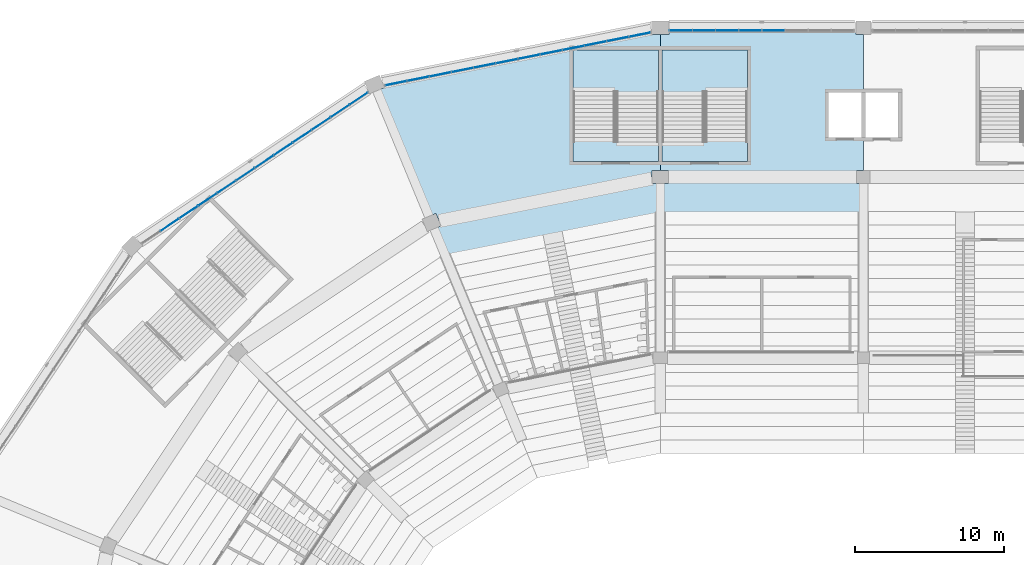
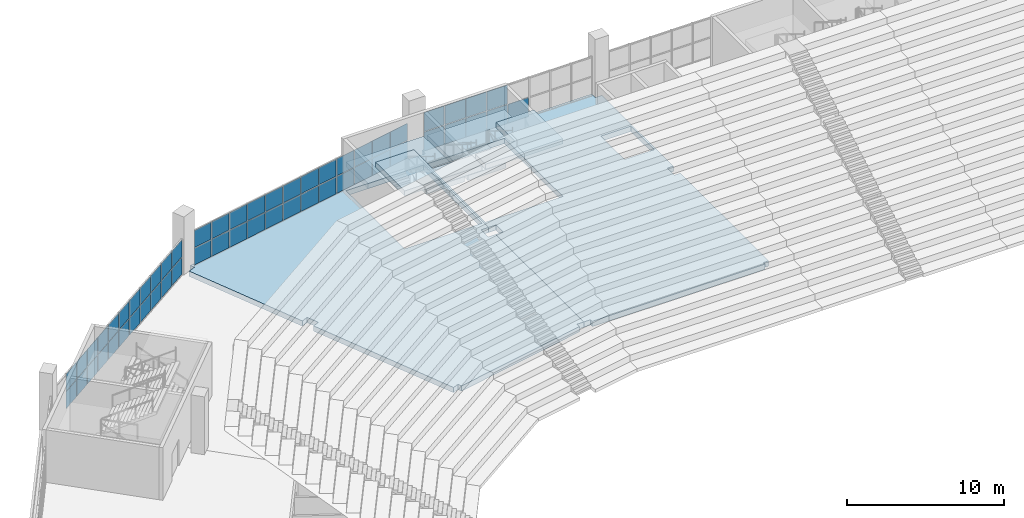
# One storey, part 79 of 249: 55 plates, 6 slabs, 5 elements without a shape of their own.
"""IFC4 building model written with IfcOpenShell, lengths in metres."""

from ifc_helpers import new_model, si_unit, direction, frame, origin, origin_2d, place, context, subcontext, project, spatial, polyline, rectangle, outline, extrude, material, layer, layer_set, type_object, element, aggregate, save


model = new_model("IFC4")

# Units and contexts
model_context = context("Model", 3, precision=1e-05, world=origin(), true_north=direction((0.0, 1.0)))
body_context = subcontext(model_context, "Body", "Model", "MODEL_VIEW")
ifc_project = project(units=[si_unit("LENGTHUNIT", "METRE"), si_unit("AREAUNIT", "SQUARE_METRE"), si_unit("VOLUMEUNIT", "CUBIC_METRE"), si_unit("PLANEANGLEUNIT", "RADIAN"), si_unit("MASSUNIT", "GRAM", prefix="KILO")], contexts=[model_context])

# Site, building, storey
site_placement = place(None, origin())
site = spatial("IfcSite", under=ifc_project, at=site_placement, CompositionType="ELEMENT")
building_placement = place(site_placement, origin())
building = spatial("IfcBuilding", under=site, at=building_placement, Name="Ogive Plaza Stadium", CompositionType="ELEMENT")
storey_placement = place(building_placement, frame((0.0, 0.0, 13.5)))
storey = spatial("IfcBuildingStorey", under=building, at=storey_placement, Name="L03", CompositionType="ELEMENT", Elevation=13.5)

# Curtain wall, plates
ifc_material_1 = material(Name="Bronze-anodised aluminium with laminated glass", Category="aluminium")
curtain_wall_type = type_object("IfcCurtainWallType", Name="Lancet curtain wall", PredefinedType="NOTDEFINED", material=ifc_material_1)
curtain_wall_1_placement = place(storey_placement, origin())
curtain_wall_1 = element("IfcCurtainWall", 1, at=curtain_wall_1_placement, inside=storey, type_object=curtain_wall_type, Name="CURTAIN WALL B30 L03", PredefinedType="NOTDEFINED")
ifc_material_2 = material(Name="Laminated glass", Category="glass")
ifc_layer_1 = layer(ifc_material_2, 0.028076171875)
ifc_layer_set_1 = layer_set([ifc_layer_1], Name="Laminated glass panel 28")
plate_type = type_object("IfcPlateType", Name="Laminated glass panel 28", PredefinedType="CURTAIN_PANEL", material=ifc_layer_set_1)
plate_1_placement = place(storey_placement, frame((-66.82958984375, 89.302490234375, 0.0498046875), z_axis=(0.0, 0.0, 1.0), x_axis=(0.831469612303, 0.55557023302, 0.0)))
plate_1 = element("IfcPlate", 2, at=plate_1_placement, type_object=plate_type, Name="CW-B30-L03 panel 2.1", PredefinedType="CURTAIN_PANEL", context=body_context, shape_type="SweptSolid", body=[
    extrude(rectangle(XDim=1.472412109375, YDim=0.028076171875, at=origin_2d()), origin(), (0.0, 0.0, 1.0), 1.320068359375),
])
plate_2_placement = place(storey_placement, frame((-66.82958984375, 89.302490234375, 1.419921875), z_axis=(0.0, 0.0, 1.0), x_axis=(0.831469612303, 0.55557023302, 0.0)))
plate_2 = element("IfcPlate", 3, at=plate_2_placement, type_object=plate_type, Name="CW-B30-L03 panel 2.2", PredefinedType="CURTAIN_PANEL", context=body_context, shape_type="SweptSolid", body=[
    extrude(rectangle(XDim=1.472412109375, YDim=0.028076171875, at=origin_2d()), origin(), (0.0, 0.0, 1.0), 1.320068359375),
])
plate_3_placement = place(storey_placement, frame((-65.56396484375, 90.148193359375, 0.0498046875), z_axis=(0.0, 0.0, 1.0), x_axis=(0.831469612303, 0.55557023302, 0.0)))
plate_3 = element("IfcPlate", 4, at=plate_3_placement, type_object=plate_type, Name="CW-B30-L03 panel 3.1", PredefinedType="CURTAIN_PANEL", context=body_context, shape_type="SweptSolid", body=[
    extrude(rectangle(XDim=1.472412109375, YDim=0.028076171875, at=origin_2d()), origin(), (0.0, 0.0, 1.0), 1.320068359375),
])
plate_4_placement = place(storey_placement, frame((-65.56396484375, 90.148193359375, 1.419921875), z_axis=(0.0, 0.0, 1.0), x_axis=(0.831469612303, 0.55557023302, 0.0)))
plate_4 = element("IfcPlate", 5, at=plate_4_placement, type_object=plate_type, Name="CW-B30-L03 panel 3.2", PredefinedType="CURTAIN_PANEL", context=body_context, shape_type="SweptSolid", body=[
    extrude(rectangle(XDim=1.472412109375, YDim=0.028076171875, at=origin_2d()), origin(), (0.0, 0.0, 1.0), 1.320068359375),
])
plate_5_placement = place(storey_placement, frame((-64.298095703125, 90.993896484375, 0.0498046875), z_axis=(0.0, 0.0, 1.0), x_axis=(0.831469612303, 0.55557023302, 0.0)))
plate_5 = element("IfcPlate", 6, at=plate_5_placement, type_object=plate_type, Name="CW-B30-L03 panel 4.1", PredefinedType="CURTAIN_PANEL", context=body_context, shape_type="SweptSolid", body=[
    extrude(rectangle(XDim=1.472412109375, YDim=0.028076171875, at=origin_2d()), origin(), (0.0, 0.0, 1.0), 1.320068359375),
])
plate_6_placement = place(storey_placement, frame((-64.298095703125, 90.993896484375, 1.419921875), z_axis=(0.0, 0.0, 1.0), x_axis=(0.831469612303, 0.55557023302, 0.0)))
plate_6 = element("IfcPlate", 7, at=plate_6_placement, type_object=plate_type, Name="CW-B30-L03 panel 4.2", PredefinedType="CURTAIN_PANEL", context=body_context, shape_type="SweptSolid", body=[
    extrude(rectangle(XDim=1.472412109375, YDim=0.028076171875, at=origin_2d()), origin(), (0.0, 0.0, 1.0), 1.320068359375),
])
plate_7_placement = place(storey_placement, frame((-63.0322265625, 91.839599609375, 0.0498046875), z_axis=(0.0, 0.0, 1.0), x_axis=(0.831469612303, 0.55557023302, 0.0)))
plate_7 = element("IfcPlate", 8, at=plate_7_placement, type_object=plate_type, Name="CW-B30-L03 panel 5.1", PredefinedType="CURTAIN_PANEL", context=body_context, shape_type="SweptSolid", body=[
    extrude(rectangle(XDim=1.472412109375, YDim=0.028076171875, at=origin_2d()), origin(), (0.0, 0.0, 1.0), 1.320068359375),
])
plate_8_placement = place(storey_placement, frame((-63.0322265625, 91.839599609375, 1.419921875), z_axis=(0.0, 0.0, 1.0), x_axis=(0.831469612303, 0.55557023302, 0.0)))
plate_8 = element("IfcPlate", 9, at=plate_8_placement, type_object=plate_type, Name="CW-B30-L03 panel 5.2", PredefinedType="CURTAIN_PANEL", context=body_context, shape_type="SweptSolid", body=[
    extrude(rectangle(XDim=1.472412109375, YDim=0.028076171875, at=origin_2d()), origin(), (0.0, 0.0, 1.0), 1.320068359375),
])
plate_9_placement = place(storey_placement, frame((-61.7666015625, 92.685546875, 0.0498046875), z_axis=(0.0, 0.0, 1.0), x_axis=(0.831469612303, 0.55557023302, 0.0)))
plate_9 = element("IfcPlate", 10, at=plate_9_placement, type_object=plate_type, Name="CW-B30-L03 panel 6.1", PredefinedType="CURTAIN_PANEL", context=body_context, shape_type="SweptSolid", body=[
    extrude(rectangle(XDim=1.472412109375, YDim=0.028076171875, at=origin_2d()), origin(), (0.0, 0.0, 1.0), 1.320068359375),
])
plate_10_placement = place(storey_placement, frame((-61.7666015625, 92.685546875, 1.419921875), z_axis=(0.0, 0.0, 1.0), x_axis=(0.831469612303, 0.55557023302, 0.0)))
plate_10 = element("IfcPlate", 11, at=plate_10_placement, type_object=plate_type, Name="CW-B30-L03 panel 6.2", PredefinedType="CURTAIN_PANEL", context=body_context, shape_type="SweptSolid", body=[
    extrude(rectangle(XDim=1.472412109375, YDim=0.028076171875, at=origin_2d()), origin(), (0.0, 0.0, 1.0), 1.320068359375),
])
plate_11_placement = place(storey_placement, frame((-60.500732421875, 93.53125, 0.0498046875), z_axis=(0.0, 0.0, 1.0), x_axis=(0.831469612303, 0.55557023302, 0.0)))
plate_11 = element("IfcPlate", 12, at=plate_11_placement, type_object=plate_type, Name="CW-B30-L03 panel 7.1", PredefinedType="CURTAIN_PANEL", context=body_context, shape_type="SweptSolid", body=[
    extrude(rectangle(XDim=1.472412109375, YDim=0.028076171875, at=origin_2d()), origin(), (0.0, 0.0, 1.0), 1.320068359375),
])
plate_12_placement = place(storey_placement, frame((-60.500732421875, 93.53125, 1.419921875), z_axis=(0.0, 0.0, 1.0), x_axis=(0.831469612303, 0.55557023302, 0.0)))
plate_12 = element("IfcPlate", 13, at=plate_12_placement, type_object=plate_type, Name="CW-B30-L03 panel 7.2", PredefinedType="CURTAIN_PANEL", context=body_context, shape_type="SweptSolid", body=[
    extrude(rectangle(XDim=1.472412109375, YDim=0.028076171875, at=origin_2d()), origin(), (0.0, 0.0, 1.0), 1.320068359375),
])
plate_13_placement = place(storey_placement, frame((-59.23486328125, 94.376953125, 0.0498046875), z_axis=(0.0, 0.0, 1.0), x_axis=(0.831469612303, 0.55557023302, 0.0)))
plate_13 = element("IfcPlate", 14, at=plate_13_placement, type_object=plate_type, Name="CW-B30-L03 panel 8.1", PredefinedType="CURTAIN_PANEL", context=body_context, shape_type="SweptSolid", body=[
    extrude(rectangle(XDim=1.472412109375, YDim=0.028076171875, at=origin_2d()), origin(), (0.0, 0.0, 1.0), 1.320068359375),
])
plate_14_placement = place(storey_placement, frame((-59.23486328125, 94.376953125, 1.419921875), z_axis=(0.0, 0.0, 1.0), x_axis=(0.831469612303, 0.55557023302, 0.0)))
plate_14 = element("IfcPlate", 15, at=plate_14_placement, type_object=plate_type, Name="CW-B30-L03 panel 8.2", PredefinedType="CURTAIN_PANEL", context=body_context, shape_type="SweptSolid", body=[
    extrude(rectangle(XDim=1.472412109375, YDim=0.028076171875, at=origin_2d()), origin(), (0.0, 0.0, 1.0), 1.320068359375),
])
plate_15_placement = place(storey_placement, frame((-57.96923828125, 95.222900390625, 0.0498046875), z_axis=(0.0, 0.0, 1.0), x_axis=(0.831469612303, 0.55557023302, 0.0)))
plate_15 = element("IfcPlate", 16, at=plate_15_placement, type_object=plate_type, Name="CW-B30-L03 panel 9.1", PredefinedType="CURTAIN_PANEL", context=body_context, shape_type="SweptSolid", body=[
    extrude(rectangle(XDim=1.472412109375, YDim=0.028076171875, at=origin_2d()), origin(), (0.0, 0.0, 1.0), 1.320068359375),
])
plate_16_placement = place(storey_placement, frame((-57.96923828125, 95.222900390625, 1.419921875), z_axis=(0.0, 0.0, 1.0), x_axis=(0.831469612303, 0.55557023302, 0.0)))
plate_16 = element("IfcPlate", 17, at=plate_16_placement, type_object=plate_type, Name="CW-B30-L03 panel 9.2", PredefinedType="CURTAIN_PANEL", context=body_context, shape_type="SweptSolid", body=[
    extrude(rectangle(XDim=1.472412109375, YDim=0.028076171875, at=origin_2d()), origin(), (0.0, 0.0, 1.0), 1.320068359375),
])
plate_17_placement = place(storey_placement, frame((-56.703369140625, 96.068603515625, 0.0498046875), z_axis=(0.0, 0.0, 1.0), x_axis=(0.831469612303, 0.55557023302, 0.0)))
plate_17 = element("IfcPlate", 18, at=plate_17_placement, type_object=plate_type, Name="CW-B30-L03 panel 10.1", PredefinedType="CURTAIN_PANEL", context=body_context, shape_type="SweptSolid", body=[
    extrude(rectangle(XDim=1.472412109375, YDim=0.028076171875, at=origin_2d()), origin(), (0.0, 0.0, 1.0), 1.320068359375),
])
plate_18_placement = place(storey_placement, frame((-56.703369140625, 96.068603515625, 1.419921875), z_axis=(0.0, 0.0, 1.0), x_axis=(0.831469612303, 0.55557023302, 0.0)))
plate_18 = element("IfcPlate", 19, at=plate_18_placement, type_object=plate_type, Name="CW-B30-L03 panel 10.2", PredefinedType="CURTAIN_PANEL", context=body_context, shape_type="SweptSolid", body=[
    extrude(rectangle(XDim=1.472412109375, YDim=0.028076171875, at=origin_2d()), origin(), (0.0, 0.0, 1.0), 1.320068359375),
])
plate_19_placement = place(storey_placement, frame((-55.4375, 96.914306640625, 0.0498046875), z_axis=(0.0, 0.0, 1.0), x_axis=(0.831469612303, 0.55557023302, 0.0)))
plate_19 = element("IfcPlate", 20, at=plate_19_placement, type_object=plate_type, Name="CW-B30-L03 panel 11.1", PredefinedType="CURTAIN_PANEL", context=body_context, shape_type="SweptSolid", body=[
    extrude(rectangle(XDim=1.472412109375, YDim=0.028076171875, at=origin_2d()), origin(), (0.0, 0.0, 1.0), 1.320068359375),
])
plate_20_placement = place(storey_placement, frame((-55.4375, 96.914306640625, 1.419921875), z_axis=(0.0, 0.0, 1.0), x_axis=(0.831469612303, 0.55557023302, 0.0)))
plate_20 = element("IfcPlate", 21, at=plate_20_placement, type_object=plate_type, Name="CW-B30-L03 panel 11.2", PredefinedType="CURTAIN_PANEL", context=body_context, shape_type="SweptSolid", body=[
    extrude(rectangle(XDim=1.472412109375, YDim=0.028076171875, at=origin_2d()), origin(), (0.0, 0.0, 1.0), 1.320068359375),
])
plate_21_placement = place(storey_placement, frame((-54.18212890625, 97.753173828125, 0.0498046875), z_axis=(0.0, 0.0, 1.0), x_axis=(0.831469612303, 0.55557023302, 0.0)))
plate_21 = element("IfcPlate", 22, at=plate_21_placement, type_object=plate_type, Name="CW-B30-L03 panel 12.1", PredefinedType="CURTAIN_PANEL", context=body_context, shape_type="SweptSolid", body=[
    extrude(rectangle(XDim=1.447265625, YDim=0.028076171875, at=origin_2d()), origin(), (0.0, 0.0, 1.0), 1.320068359375),
])
plate_22_placement = place(storey_placement, frame((-54.18212890625, 97.753173828125, 1.419921875), z_axis=(0.0, 0.0, 1.0), x_axis=(0.831469612303, 0.55557023302, 0.0)))
plate_22 = element("IfcPlate", 23, at=plate_22_placement, type_object=plate_type, Name="CW-B30-L03 panel 12.2", PredefinedType="CURTAIN_PANEL", context=body_context, shape_type="SweptSolid", body=[
    extrude(rectangle(XDim=1.447265625, YDim=0.028076171875, at=origin_2d()), origin(), (0.0, 0.0, 1.0), 1.320068359375),
])
aggregate(curtain_wall_1, [plate_1, plate_2, plate_3, plate_4, plate_5, plate_6, plate_7, plate_8, plate_9, plate_10, plate_11, plate_12, plate_13, plate_14, plate_15, plate_16, plate_17, plate_18, plate_19, plate_20, plate_21, plate_22])

curtain_wall_2_placement = place(storey_placement, origin())
curtain_wall_2 = element("IfcCurtainWall", 24, at=curtain_wall_2_placement, inside=storey, type_object=curtain_wall_type, Name="CURTAIN WALL B31 L03", PredefinedType="NOTDEFINED")
plate_23_placement = place(storey_placement, frame((-51.681884765625, 98.77880859375, 0.0498046875), z_axis=(0.0, 0.0, 1.0), x_axis=(0.980785280403, 0.195090322016, 0.0)))
plate_23 = element("IfcPlate", 25, at=plate_23_placement, type_object=plate_type, Name="CW-B31-L03 panel 1.1", PredefinedType="CURTAIN_PANEL", context=body_context, shape_type="SweptSolid", body=[
    extrude(rectangle(XDim=1.43896484375, YDim=0.028076171875, at=origin_2d()), origin(), (0.0, 0.0, 1.0), 1.320068359375),
])
plate_24_placement = place(storey_placement, frame((-51.681884765625, 98.77880859375, 1.419921875), z_axis=(0.0, 0.0, 1.0), x_axis=(0.980785280403, 0.195090322016, 0.0)))
plate_24 = element("IfcPlate", 26, at=plate_24_placement, type_object=plate_type, Name="CW-B31-L03 panel 1.2", PredefinedType="CURTAIN_PANEL", context=body_context, shape_type="SweptSolid", body=[
    extrude(rectangle(XDim=1.43896484375, YDim=0.028076171875, at=origin_2d()), origin(), (0.0, 0.0, 1.0), 1.320068359375),
])
plate_25_placement = place(storey_placement, frame((-50.20947265625, 99.07177734375, 0.0498046875), z_axis=(0.0, 0.0, 1.0), x_axis=(0.980785280403, 0.195090322016, 0.0)))
plate_25 = element("IfcPlate", 27, at=plate_25_placement, type_object=plate_type, Name="CW-B31-L03 panel 2.1", PredefinedType="CURTAIN_PANEL", context=body_context, shape_type="SweptSolid", body=[
    extrude(rectangle(XDim=1.4638671875, YDim=0.028076171875, at=origin_2d()), origin(), (0.0, 0.0, 1.0), 1.320068359375),
])
plate_26_placement = place(storey_placement, frame((-50.20947265625, 99.07177734375, 1.419921875), z_axis=(0.0, 0.0, 1.0), x_axis=(0.980785280403, 0.195090322016, 0.0)))
plate_26 = element("IfcPlate", 28, at=plate_26_placement, type_object=plate_type, Name="CW-B31-L03 panel 2.2", PredefinedType="CURTAIN_PANEL", context=body_context, shape_type="SweptSolid", body=[
    extrude(rectangle(XDim=1.4638671875, YDim=0.028076171875, at=origin_2d()), origin(), (0.0, 0.0, 1.0), 1.320068359375),
])
plate_27_placement = place(storey_placement, frame((-48.724609375, 99.3671875, 0.0498046875), z_axis=(0.0, 0.0, 1.0), x_axis=(0.980785280403, 0.195090322016, 0.0)))
plate_27 = element("IfcPlate", 29, at=plate_27_placement, type_object=plate_type, Name="CW-B31-L03 panel 3.1", PredefinedType="CURTAIN_PANEL", context=body_context, shape_type="SweptSolid", body=[
    extrude(rectangle(XDim=1.4638671875, YDim=0.028076171875, at=origin_2d()), origin(), (0.0, 0.0, 1.0), 1.320068359375),
])
plate_28_placement = place(storey_placement, frame((-48.724609375, 99.3671875, 1.419921875), z_axis=(0.0, 0.0, 1.0), x_axis=(0.980785280403, 0.195090322016, 0.0)))
plate_28 = element("IfcPlate", 30, at=plate_28_placement, type_object=plate_type, Name="CW-B31-L03 panel 3.2", PredefinedType="CURTAIN_PANEL", context=body_context, shape_type="SweptSolid", body=[
    extrude(rectangle(XDim=1.4638671875, YDim=0.028076171875, at=origin_2d()), origin(), (0.0, 0.0, 1.0), 1.320068359375),
])
plate_29_placement = place(storey_placement, frame((-47.239990234375, 99.66259765625, 0.0498046875), z_axis=(0.0, 0.0, 1.0), x_axis=(0.980785280403, 0.195090322016, 0.0)))
plate_29 = element("IfcPlate", 31, at=plate_29_placement, type_object=plate_type, Name="CW-B31-L03 panel 4.1", PredefinedType="CURTAIN_PANEL", context=body_context, shape_type="SweptSolid", body=[
    extrude(rectangle(XDim=1.4638671875, YDim=0.028076171875, at=origin_2d()), origin(), (0.0, 0.0, 1.0), 1.320068359375),
])
plate_30_placement = place(storey_placement, frame((-47.239990234375, 99.66259765625, 1.419921875), z_axis=(0.0, 0.0, 1.0), x_axis=(0.980785280403, 0.195090322016, 0.0)))
plate_30 = element("IfcPlate", 32, at=plate_30_placement, type_object=plate_type, Name="CW-B31-L03 panel 4.2", PredefinedType="CURTAIN_PANEL", context=body_context, shape_type="SweptSolid", body=[
    extrude(rectangle(XDim=1.4638671875, YDim=0.028076171875, at=origin_2d()), origin(), (0.0, 0.0, 1.0), 1.320068359375),
])
plate_31_placement = place(storey_placement, frame((-45.755126953125, 99.957763671875, 0.0498046875), z_axis=(0.0, 0.0, 1.0), x_axis=(0.980785280403, 0.195090322016, 0.0)))
plate_31 = element("IfcPlate", 33, at=plate_31_placement, type_object=plate_type, Name="CW-B31-L03 panel 5.1", PredefinedType="CURTAIN_PANEL", context=body_context, shape_type="SweptSolid", body=[
    extrude(rectangle(XDim=1.4638671875, YDim=0.028076171875, at=origin_2d()), origin(), (0.0, 0.0, 1.0), 1.320068359375),
])
plate_32_placement = place(storey_placement, frame((-45.755126953125, 99.957763671875, 1.419921875), z_axis=(0.0, 0.0, 1.0), x_axis=(0.980785280403, 0.195090322016, 0.0)))
plate_32 = element("IfcPlate", 34, at=plate_32_placement, type_object=plate_type, Name="CW-B31-L03 panel 5.2", PredefinedType="CURTAIN_PANEL", context=body_context, shape_type="SweptSolid", body=[
    extrude(rectangle(XDim=1.4638671875, YDim=0.028076171875, at=origin_2d()), origin(), (0.0, 0.0, 1.0), 1.320068359375),
])
plate_33_placement = place(storey_placement, frame((-44.2705078125, 100.253173828125, 0.0498046875), z_axis=(0.0, 0.0, 1.0), x_axis=(0.980785280403, 0.195090322016, 0.0)))
plate_33 = element("IfcPlate", 35, at=plate_33_placement, type_object=plate_type, Name="CW-B31-L03 panel 6.1", PredefinedType="CURTAIN_PANEL", context=body_context, shape_type="SweptSolid", body=[
    extrude(rectangle(XDim=1.4638671875, YDim=0.028076171875, at=origin_2d()), origin(), (0.0, 0.0, 1.0), 1.320068359375),
])
plate_34_placement = place(storey_placement, frame((-44.2705078125, 100.253173828125, 1.419921875), z_axis=(0.0, 0.0, 1.0), x_axis=(0.980785280403, 0.195090322016, 0.0)))
plate_34 = element("IfcPlate", 36, at=plate_34_placement, type_object=plate_type, Name="CW-B31-L03 panel 6.2", PredefinedType="CURTAIN_PANEL", context=body_context, shape_type="SweptSolid", body=[
    extrude(rectangle(XDim=1.4638671875, YDim=0.028076171875, at=origin_2d()), origin(), (0.0, 0.0, 1.0), 1.320068359375),
])
plate_35_placement = place(storey_placement, frame((-42.78564453125, 100.548583984375, 0.0498046875), z_axis=(0.0, 0.0, 1.0), x_axis=(0.980785280403, 0.195090322016, 0.0)))
plate_35 = element("IfcPlate", 37, at=plate_35_placement, type_object=plate_type, Name="CW-B31-L03 panel 7.1", PredefinedType="CURTAIN_PANEL", context=body_context, shape_type="SweptSolid", body=[
    extrude(rectangle(XDim=1.4638671875, YDim=0.028076171875, at=origin_2d()), origin(), (0.0, 0.0, 1.0), 1.320068359375),
])
plate_36_placement = place(storey_placement, frame((-42.78564453125, 100.548583984375, 1.419921875), z_axis=(0.0, 0.0, 1.0), x_axis=(0.980785280403, 0.195090322016, 0.0)))
plate_36 = element("IfcPlate", 38, at=plate_36_placement, type_object=plate_type, Name="CW-B31-L03 panel 7.2", PredefinedType="CURTAIN_PANEL", context=body_context, shape_type="SweptSolid", body=[
    extrude(rectangle(XDim=1.4638671875, YDim=0.028076171875, at=origin_2d()), origin(), (0.0, 0.0, 1.0), 1.320068359375),
])
plate_37_placement = place(storey_placement, frame((-41.301025390625, 100.84375, 0.0498046875), z_axis=(0.0, 0.0, 1.0), x_axis=(0.980785280403, 0.195090322016, 0.0)))
plate_37 = element("IfcPlate", 39, at=plate_37_placement, type_object=plate_type, Name="CW-B31-L03 panel 8.1", PredefinedType="CURTAIN_PANEL", context=body_context, shape_type="SweptSolid", body=[
    extrude(rectangle(XDim=1.4638671875, YDim=0.028076171875, at=origin_2d()), origin(), (0.0, 0.0, 1.0), 1.320068359375),
])
plate_38_placement = place(storey_placement, frame((-41.301025390625, 100.84375, 1.419921875), z_axis=(0.0, 0.0, 1.0), x_axis=(0.980785280403, 0.195090322016, 0.0)))
plate_38 = element("IfcPlate", 40, at=plate_38_placement, type_object=plate_type, Name="CW-B31-L03 panel 8.2", PredefinedType="CURTAIN_PANEL", context=body_context, shape_type="SweptSolid", body=[
    extrude(rectangle(XDim=1.4638671875, YDim=0.028076171875, at=origin_2d()), origin(), (0.0, 0.0, 1.0), 1.320068359375),
])
plate_39_placement = place(storey_placement, frame((-39.816162109375, 101.13916015625, 0.0498046875), z_axis=(0.0, 0.0, 1.0), x_axis=(0.980785280403, 0.195090322016, 0.0)))
plate_39 = element("IfcPlate", 41, at=plate_39_placement, type_object=plate_type, Name="CW-B31-L03 panel 9.1", PredefinedType="CURTAIN_PANEL", context=body_context, shape_type="SweptSolid", body=[
    extrude(rectangle(XDim=1.4638671875, YDim=0.028076171875, at=origin_2d()), origin(), (0.0, 0.0, 1.0), 1.320068359375),
])
plate_40_placement = place(storey_placement, frame((-39.816162109375, 101.13916015625, 1.419921875), z_axis=(0.0, 0.0, 1.0), x_axis=(0.980785280403, 0.195090322016, 0.0)))
plate_40 = element("IfcPlate", 42, at=plate_40_placement, type_object=plate_type, Name="CW-B31-L03 panel 9.2", PredefinedType="CURTAIN_PANEL", context=body_context, shape_type="SweptSolid", body=[
    extrude(rectangle(XDim=1.4638671875, YDim=0.028076171875, at=origin_2d()), origin(), (0.0, 0.0, 1.0), 1.320068359375),
])
plate_41_placement = place(storey_placement, frame((-38.331298828125, 101.4345703125, 0.0498046875), z_axis=(0.0, 0.0, 1.0), x_axis=(0.980785280403, 0.195090322016, 0.0)))
plate_41 = element("IfcPlate", 43, at=plate_41_placement, type_object=plate_type, Name="CW-B31-L03 panel 10.1", PredefinedType="CURTAIN_PANEL", context=body_context, shape_type="SweptSolid", body=[
    extrude(rectangle(XDim=1.4638671875, YDim=0.028076171875, at=origin_2d()), origin(), (0.0, 0.0, 1.0), 1.320068359375),
])
plate_42_placement = place(storey_placement, frame((-38.331298828125, 101.4345703125, 1.419921875), z_axis=(0.0, 0.0, 1.0), x_axis=(0.980785280403, 0.195090322016, 0.0)))
plate_42 = element("IfcPlate", 44, at=plate_42_placement, type_object=plate_type, Name="CW-B31-L03 panel 10.2", PredefinedType="CURTAIN_PANEL", context=body_context, shape_type="SweptSolid", body=[
    extrude(rectangle(XDim=1.4638671875, YDim=0.028076171875, at=origin_2d()), origin(), (0.0, 0.0, 1.0), 1.320068359375),
])
plate_43_placement = place(storey_placement, frame((-36.8466796875, 101.729736328125, 0.0498046875), z_axis=(0.0, 0.0, 1.0), x_axis=(0.980785280403, 0.195090322016, 0.0)))
plate_43 = element("IfcPlate", 45, at=plate_43_placement, type_object=plate_type, Name="CW-B31-L03 panel 11.1", PredefinedType="CURTAIN_PANEL", context=body_context, shape_type="SweptSolid", body=[
    extrude(rectangle(XDim=1.4638671875, YDim=0.028076171875, at=origin_2d()), origin(), (0.0, 0.0, 1.0), 1.320068359375),
])
plate_44_placement = place(storey_placement, frame((-36.8466796875, 101.729736328125, 1.419921875), z_axis=(0.0, 0.0, 1.0), x_axis=(0.980785280403, 0.195090322016, 0.0)))
plate_44 = element("IfcPlate", 46, at=plate_44_placement, type_object=plate_type, Name="CW-B31-L03 panel 11.2", PredefinedType="CURTAIN_PANEL", context=body_context, shape_type="SweptSolid", body=[
    extrude(rectangle(XDim=1.4638671875, YDim=0.028076171875, at=origin_2d()), origin(), (0.0, 0.0, 1.0), 1.320068359375),
])
plate_45_placement = place(storey_placement, frame((-35.374267578125, 102.022705078125, 0.0498046875), z_axis=(0.0, 0.0, 1.0), x_axis=(0.980785280403, 0.195090322016, 0.0)))
plate_45 = element("IfcPlate", 47, at=plate_45_placement, type_object=plate_type, Name="CW-B31-L03 panel 12.1", PredefinedType="CURTAIN_PANEL", context=body_context, shape_type="SweptSolid", body=[
    extrude(rectangle(XDim=1.43896484375, YDim=0.028076171875, at=origin_2d()), origin(), (0.0, 0.0, 1.0), 1.320068359375),
])
plate_46_placement = place(storey_placement, frame((-35.374267578125, 102.022705078125, 1.419921875), z_axis=(0.0, 0.0, 1.0), x_axis=(0.980785280403, 0.195090322016, 0.0)))
plate_46 = element("IfcPlate", 48, at=plate_46_placement, type_object=plate_type, Name="CW-B31-L03 panel 12.2", PredefinedType="CURTAIN_PANEL", context=body_context, shape_type="SweptSolid", body=[
    extrude(rectangle(XDim=1.43896484375, YDim=0.028076171875, at=origin_2d()), origin(), (0.0, 0.0, 1.0), 1.320068359375),
])
aggregate(curtain_wall_2, [plate_23, plate_24, plate_25, plate_26, plate_27, plate_28, plate_29, plate_30, plate_31, plate_32, plate_33, plate_34, plate_35, plate_36, plate_37, plate_38, plate_39, plate_40, plate_41, plate_42, plate_43, plate_44, plate_45, plate_46])

curtain_wall_3_placement = place(storey_placement, origin())
curtain_wall_3 = element("IfcCurtainWall", 49, at=curtain_wall_3_placement, inside=storey, type_object=curtain_wall_type, Name="CURTAIN WALL B32 L03", PredefinedType="NOTDEFINED")
plate_47_placement = place(storey_placement, frame((-32.612548828125, 102.300048828125, 0.0498046875), z_axis=(0.0, 0.0, 1.0), x_axis=(1.0, 0.0, 0.0)))
plate_47 = element("IfcPlate", 50, at=plate_47_placement, type_object=plate_type, Name="CW-B32-L03 panel 1.1", PredefinedType="CURTAIN_PANEL", context=body_context, shape_type="SweptSolid", body=[
    extrude(rectangle(XDim=1.47509765625, YDim=0.028076171875, at=origin_2d()), origin(), (0.0, 0.0, 1.0), 1.469970703125),
])
plate_48_placement = place(storey_placement, frame((-32.612548828125, 102.300048828125, 1.56982421875), z_axis=(0.0, 0.0, 1.0), x_axis=(1.0, 0.0, 0.0)))
plate_48 = element("IfcPlate", 51, at=plate_48_placement, type_object=plate_type, Name="CW-B32-L03 panel 1.2", PredefinedType="CURTAIN_PANEL", context=body_context, shape_type="SweptSolid", body=[
    extrude(rectangle(XDim=1.47509765625, YDim=0.028076171875, at=origin_2d()), origin(), (0.0, 0.0, 1.0), 1.469970703125),
])
plate_49_placement = place(storey_placement, frame((-31.074951171875, 102.300048828125, 0.0498046875), z_axis=(0.0, 0.0, 1.0), x_axis=(1.0, 0.0, 0.0)))
plate_49 = element("IfcPlate", 52, at=plate_49_placement, type_object=plate_type, Name="CW-B32-L03 panel 2.1", PredefinedType="CURTAIN_PANEL", context=body_context, shape_type="SweptSolid", body=[
    extrude(rectangle(XDim=1.5, YDim=0.028076171875, at=origin_2d()), origin(), (0.0, 0.0, 1.0), 1.469970703125),
])
plate_50_placement = place(storey_placement, frame((-31.074951171875, 102.300048828125, 1.56982421875), z_axis=(0.0, 0.0, 1.0), x_axis=(1.0, 0.0, 0.0)))
plate_50 = element("IfcPlate", 53, at=plate_50_placement, type_object=plate_type, Name="CW-B32-L03 panel 2.2", PredefinedType="CURTAIN_PANEL", context=body_context, shape_type="SweptSolid", body=[
    extrude(rectangle(XDim=1.5, YDim=0.028076171875, at=origin_2d()), origin(), (0.0, 0.0, 1.0), 1.469970703125),
])
plate_51_placement = place(storey_placement, frame((-29.52490234375, 102.300048828125, 0.0498046875), z_axis=(0.0, 0.0, 1.0), x_axis=(1.0, 0.0, 0.0)))
plate_51 = element("IfcPlate", 54, at=plate_51_placement, type_object=plate_type, Name="CW-B32-L03 panel 3.1", PredefinedType="CURTAIN_PANEL", context=body_context, shape_type="SweptSolid", body=[
    extrude(rectangle(XDim=1.5, YDim=0.028076171875, at=origin_2d()), origin(), (0.0, 0.0, 1.0), 1.469970703125),
])
plate_52_placement = place(storey_placement, frame((-29.52490234375, 102.300048828125, 1.56982421875), z_axis=(0.0, 0.0, 1.0), x_axis=(1.0, 0.0, 0.0)))
plate_52 = element("IfcPlate", 55, at=plate_52_placement, type_object=plate_type, Name="CW-B32-L03 panel 3.2", PredefinedType="CURTAIN_PANEL", context=body_context, shape_type="SweptSolid", body=[
    extrude(rectangle(XDim=1.5, YDim=0.028076171875, at=origin_2d()), origin(), (0.0, 0.0, 1.0), 1.469970703125),
])
plate_53_placement = place(storey_placement, frame((-27.97509765625, 102.300048828125, 0.0498046875), z_axis=(0.0, 0.0, 1.0), x_axis=(1.0, 0.0, 0.0)))
plate_53 = element("IfcPlate", 56, at=plate_53_placement, type_object=plate_type, Name="CW-B32-L03 panel 4.1", PredefinedType="CURTAIN_PANEL", context=body_context, shape_type="SweptSolid", body=[
    extrude(rectangle(XDim=1.5, YDim=0.028076171875, at=origin_2d()), origin(), (0.0, 0.0, 1.0), 1.469970703125),
])
plate_54_placement = place(storey_placement, frame((-27.97509765625, 102.300048828125, 1.56982421875), z_axis=(0.0, 0.0, 1.0), x_axis=(1.0, 0.0, 0.0)))
plate_54 = element("IfcPlate", 57, at=plate_54_placement, type_object=plate_type, Name="CW-B32-L03 panel 4.2", PredefinedType="CURTAIN_PANEL", context=body_context, shape_type="SweptSolid", body=[
    extrude(rectangle(XDim=1.5, YDim=0.028076171875, at=origin_2d()), origin(), (0.0, 0.0, 1.0), 1.469970703125),
])
plate_55_placement = place(storey_placement, frame((-26.425048828125, 102.300048828125, 0.0498046875), z_axis=(0.0, 0.0, 1.0), x_axis=(1.0, 0.0, 0.0)))
plate_55 = element("IfcPlate", 58, at=plate_55_placement, type_object=plate_type, Name="CW-B32-L03 panel 5.1", PredefinedType="CURTAIN_PANEL", context=body_context, shape_type="SweptSolid", body=[
    extrude(rectangle(XDim=1.5, YDim=0.028076171875, at=origin_2d()), origin(), (0.0, 0.0, 1.0), 1.469970703125),
])
aggregate(curtain_wall_3, [plate_47, plate_48, plate_49, plate_50, plate_51, plate_52, plate_53, plate_54, plate_55])

# Slabs
ifc_material_3 = material(Name="Concrete C40/50", Category="concrete")
ifc_layer_2 = layer(ifc_material_3, 0.409912109375)
ifc_layer_set_2 = layer_set([ifc_layer_2], Name="Concrete C40/50")
slab_type_1 = type_object("IfcSlabType", Name="RC floor slab 410", PredefinedType="FLOOR", material=ifc_layer_set_2)
slab_1_placement = place(storey_placement, frame((0.0, 0.0, -0.409912109375)))
element("IfcSlab", 59, at=slab_1_placement, inside=storey, type_object=slab_type_1, Name="Floor slab L03 B31", PredefinedType="FLOOR", context=body_context, shape_type="SweptSolid", body=[
    extrude(outline(polyline([(-34.0, 92.050048828125), (-34.550048828125, 92.050048828125), (-34.550048828125, 92.949951171875), (-34.0, 92.949951171875), (-34.0, 102.050048828125), (-34.60009765625, 102.050048828125), (-34.60009765625, 102.380615234375), (-52.584228515625, 98.803466796875), (-52.453857421875, 98.48876953125), (-52.9619140625, 98.2783203125), (-49.4794921875, 89.870849609375), (-49.017578125, 90.062255859375), (-48.673095703125, 89.230712890625), (-49.135009765625, 89.03955078125), (-44.829833984375, 78.645751953125), (-44.414306640625, 78.818115234375), (-44.303466796875, 78.550537109375), (-34.5, 80.50048828125), (-34.5, 80.800048828125), (-34.0, 80.800048828125), (-34.0, 92.050048828125)]), holes=[polyline([(-39.824951171875, 93.550048828125), (-34.125, 93.550048828125), (-34.125, 101.010009765625), (-39.824951171875, 101.010009765625), (-39.824951171875, 93.550048828125)])]), origin(), (0.0, 0.0, 1.0), 0.409912109375),
])
slab_2_placement = place(storey_placement, frame((0.0, 0.0, -0.409912109375)))
element("IfcSlab", 60, at=slab_2_placement, inside=storey, type_object=slab_type_1, Name="Floor slab L03 B32", PredefinedType="FLOOR", context=body_context, shape_type="SweptSolid", body=[
    extrude(outline(polyline([(-20.39990234375, 92.050048828125), (-20.85009765625, 92.050048828125), (-20.85009765625, 92.949951171875), (-20.39990234375, 92.949951171875), (-20.39990234375, 102.050048828125), (-20.89990234375, 102.050048828125), (-20.89990234375, 102.5), (-33.39990234375, 102.5), (-33.39990234375, 102.050048828125), (-34.0, 102.050048828125), (-34.0, 92.949951171875), (-33.449951171875, 92.949951171875), (-33.449951171875, 92.050048828125), (-34.0, 92.050048828125), (-34.0, 80.800048828125), (-33.5, 80.800048828125), (-33.5, 80.60009765625), (-20.800048828125, 80.60009765625), (-20.800048828125, 80.800048828125), (-20.39990234375, 80.800048828125), (-20.39990234375, 92.050048828125)]), holes=[polyline([(-20.52490234375, 95.14990234375), (-20.52490234375, 98.14990234375), (-22.72509765625, 98.14990234375), (-22.72509765625, 95.14990234375), (-20.52490234375, 95.14990234375)]), polyline([(-33.875, 93.550048828125), (-28.175048828125, 93.550048828125), (-28.175048828125, 101.010009765625), (-33.875, 101.010009765625), (-33.875, 93.550048828125)])]), origin(), (0.0, 0.0, 1.0), 0.409912109375),
])

# Stair, slabs
ifc_material_4 = material(Name="Concrete C40/50", Category="concrete")
stair_type = type_object("IfcStairType", Name="Exit stair", PredefinedType="STRAIGHT_RUN_STAIR", material=ifc_material_4)
stair_1_placement = place(storey_placement, origin())
stair_1 = element("IfcStair", 61, at=stair_1_placement, inside=storey, type_object=stair_type, Name="Exit stair ST32A L03 to L04", PredefinedType="STRAIGHT_RUN_STAIR")
ifc_material_5 = material(Name="Concrete C40/50", Category="concrete")
ifc_layer_3 = layer(ifc_material_5, 0.39990234375)
ifc_layer_set_3 = layer_set([ifc_layer_3], Name="Concrete C40/50")
slab_type_2 = type_object("IfcSlabType", Name="Stair landing", PredefinedType="LANDING", material=ifc_layer_set_3)
slab_3_placement = place(storey_placement, frame((0.0, 0.0, 1.85009765625)))
slab_3 = element("IfcSlab", 62, at=slab_3_placement, type_object=slab_type_2, Name="ST32A landing 1", PredefinedType="LANDING", context=body_context, shape_type="SweptSolid", body=[
    extrude(outline(polyline([(-33.875, 101.010009765625), (-28.175048828125, 101.010009765625), (-28.175048828125, 98.2099609375), (-31.074951171875, 98.2099609375), (-31.074951171875, 95.81005859375), (-33.875, 95.81005859375), (-33.875, 98.2099609375), (-33.875, 101.010009765625)])), origin(), (0.0, 0.0, 1.0), 0.39990234375),
])
slab_4_placement = place(storey_placement, frame((0.0, 0.0, 4.10009765625)))
slab_4 = element("IfcSlab", 63, at=slab_4_placement, type_object=slab_type_2, Name="ST32A landing 2", PredefinedType="LANDING", context=body_context, shape_type="SweptSolid", body=[
    extrude(outline(polyline([(-30.97509765625, 97.25), (-28.175048828125, 97.25), (-28.175048828125, 94.85009765625), (-28.175048828125, 93.550048828125), (-33.875, 93.550048828125), (-33.875, 94.85009765625), (-30.97509765625, 94.85009765625), (-30.97509765625, 97.25)])), origin(), (0.0, 0.0, 1.0), 0.39990234375),
])
aggregate(stair_1, [slab_3, slab_4])

stair_2_placement = place(storey_placement, origin())
stair_2 = element("IfcStair", 64, at=stair_2_placement, inside=storey, type_object=stair_type, Name="Exit stair ST32B L03 to L04", PredefinedType="STRAIGHT_RUN_STAIR")
slab_5_placement = place(storey_placement, frame((0.0, 0.0, 1.85009765625)))
slab_5 = element("IfcSlab", 65, at=slab_5_placement, type_object=slab_type_2, Name="ST32B landing 1", PredefinedType="LANDING", context=body_context, shape_type="SweptSolid", body=[
    extrude(outline(polyline([(-34.125, 95.81005859375), (-36.925048828125, 95.81005859375), (-36.925048828125, 98.2099609375), (-39.824951171875, 98.2099609375), (-39.824951171875, 101.010009765625), (-34.125, 101.010009765625), (-34.125, 98.2099609375), (-34.125, 95.81005859375)])), origin(), (0.0, 0.0, 1.0), 0.39990234375),
])
slab_6_placement = place(storey_placement, frame((0.0, 0.0, 4.10009765625)))
slab_6 = element("IfcSlab", 66, at=slab_6_placement, type_object=slab_type_2, Name="ST32B landing 2", PredefinedType="LANDING", context=body_context, shape_type="SweptSolid", body=[
    extrude(outline(polyline([(-34.125, 94.85009765625), (-34.125, 93.550048828125), (-39.824951171875, 93.550048828125), (-39.824951171875, 94.85009765625), (-39.824951171875, 97.25), (-37.02490234375, 97.25), (-37.02490234375, 94.85009765625), (-34.125, 94.85009765625)])), origin(), (0.0, 0.0, 1.0), 0.39990234375),
])
aggregate(stair_2, [slab_5, slab_6])

save(model, "model.ifc")
